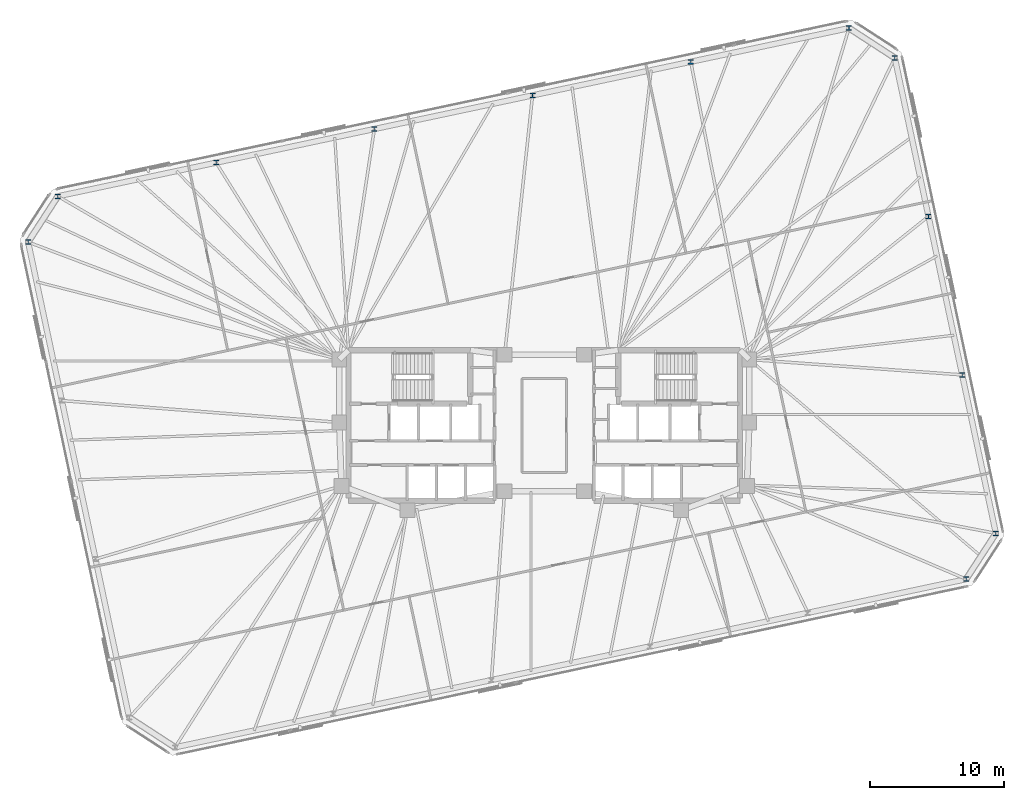
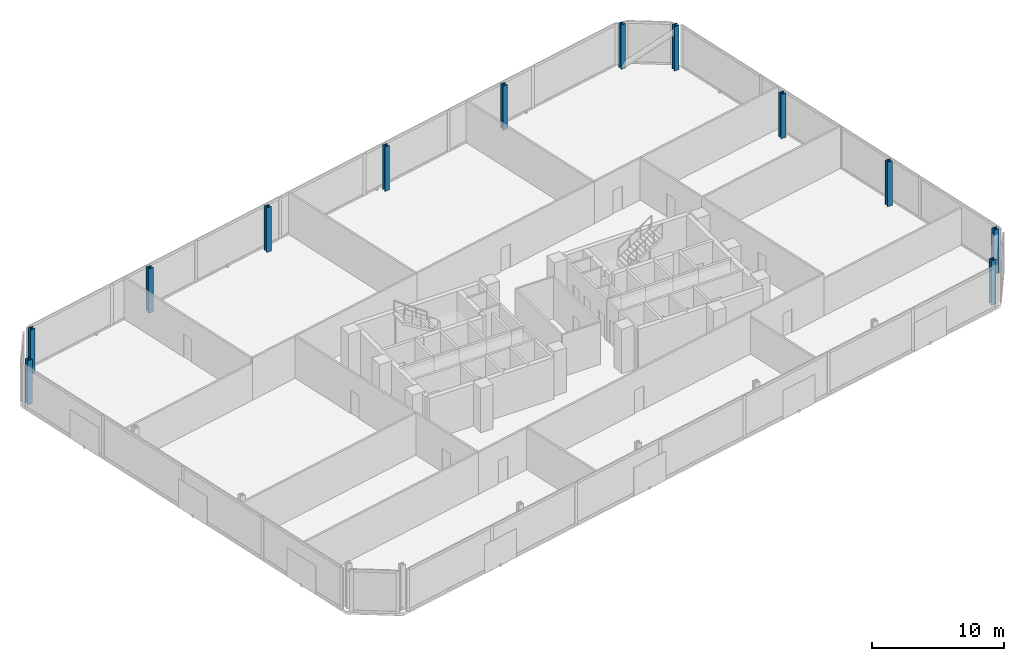
# One storey, part 5 of 15: 12 columns.
"""IFC4 building model written with IfcOpenShell, lengths in metres."""

from ifc_helpers import new_model, si_unit, direction, frame, origin, origin_2d, place, context, subcontext, project, spatial, i_section, extrude, material, material_profile, profile_set, type_object, element, save


model = new_model("IFC4")

# Units and contexts
model_context = context("Model", 3, precision=1e-05, world=origin(), true_north=direction((0.0, 1.0)))
body_context = subcontext(model_context, "Body", "Model", "MODEL_VIEW")
ifc_project = project(units=[si_unit("LENGTHUNIT", "METRE"), si_unit("AREAUNIT", "SQUARE_METRE"), si_unit("VOLUMEUNIT", "CUBIC_METRE"), si_unit("PLANEANGLEUNIT", "RADIAN"), si_unit("MASSUNIT", "GRAM", prefix="KILO")], contexts=[model_context])

# Site, building, storey
site_placement = place(None, origin())
site = spatial("IfcSite", under=ifc_project, at=site_placement, CompositionType="ELEMENT")
building_placement = place(site_placement, origin())
building = spatial("IfcBuilding", under=site, at=building_placement, Name="Menara Jurai Vektor", CompositionType="ELEMENT")
storey_placement = place(building_placement, frame((0.0, 0.0, 147.300048828125)))
storey = spatial("IfcBuildingStorey", under=building, at=storey_placement, Name="L37", CompositionType="ELEMENT", Elevation=147.300048828125)

# Columns
ifc_material = material(Name="Steel S460", Category="steel")
ifc_material_profile = material_profile(ifc_material, i_section(OverallWidth=0.408935546875, OverallDepth=0.3740234375, WebThickness=0.048095703125, FlangeThickness=0.076904296875, FilletRadius=0.014892578125, at=origin_2d()), Name="HD 400x634")
ifc_profile_set = profile_set([ifc_material_profile], Name="Steel S460")
column_type = type_object("IfcColumnType", Name="STR-EXO-BLK3", PredefinedType="COLUMN", material=ifc_profile_set)
for number, where, z_axis, x_axis, name in (
    (1, (31.376220703125, -11.438720703125, 0.0), (0.0, 0.0, 1.0), (1.0, 0.0, 0.0), "Exoskeleton Column BLK3-S6 L37"),
    (2, (33.588623046875, -8.031982421875, 0.0), (0.0, 0.0, 1.0), (1.0, 0.0, 0.0), "Exoskeleton Column BLK3-E1 L37"),
    (3, (31.082763671875, 3.75634765625, 0.0), (0.0, 0.0, 1.0), (1.0, 0.0, 0.0), "Exoskeleton Column BLK3-E2 L37"),
    (4, (28.5771484375, 15.544921875, 0.0), (0.0, 0.0, 1.0), (1.0, 0.0, 0.0), "Exoskeleton Column BLK3-E3 L37"),
    (5, (26.0712890625, 27.33349609375, 0.0), (0.0, 0.0, 1.0), (1.0, 0.0, 0.0), "Exoskeleton Column BLK3-E4 L37"),
    (6, (22.664794921875, 29.545654296875, 0.0), (0.0, 0.0, 1.0), (1.0, 0.0, 0.0), "Exoskeleton Column BLK3-N1 L37"),
    (7, (10.896484375, 27.044189453125, 0.0), (0.0, 0.0, 1.0), (1.0, 0.0, 0.0), "Exoskeleton Column BLK3-N2 L37"),
    (8, (-0.87158203125, 24.54296875, 0.0), (0.0, 0.0, 1.0), (1.0, 0.0, 0.0), "Exoskeleton Column BLK3-N3 L37"),
    (9, (-12.639892578125, 22.04150390625, 0.0), (0.0, 0.0, 1.0), (1.0, 0.0, 0.0), "Exoskeleton Column BLK3-N4 L37"),
    (10, (-24.407958984375, 19.5400390625, 0.0), (0.0, 0.0, 1.0), (1.0, 0.0, 0.0), "Exoskeleton Column BLK3-N5 L37"),
    (11, (-36.17626953125, 17.03857421875, 0.0), (0.0, 0.0, 1.0), (1.0, 0.0, 0.0), "Exoskeleton Column BLK3-N6 L37"),
    (12, (-38.388671875, 13.632080078125, 0.0), (0.0, 0.0, 1.0), (1.0, 0.0, 0.0), "Exoskeleton Column BLK3-W1 L37"),
):
    element("IfcColumn", number, at=place(storey_placement, frame(where, z_axis=z_axis, x_axis=x_axis)), inside=storey, type_object=column_type, Name=name, PredefinedType="COLUMN", context=body_context, shape_type="SweptSolid", body=[
        extrude(i_section(OverallWidth=0.408935546875, OverallDepth=0.3740234375, WebThickness=0.048095703125, FlangeThickness=0.076904296875, FilletRadius=0.014892578125, at=origin_2d()), origin(), (0.0, 0.0, 1.0), 4.099853515625),
    ])

save(model, "model.ifc")
